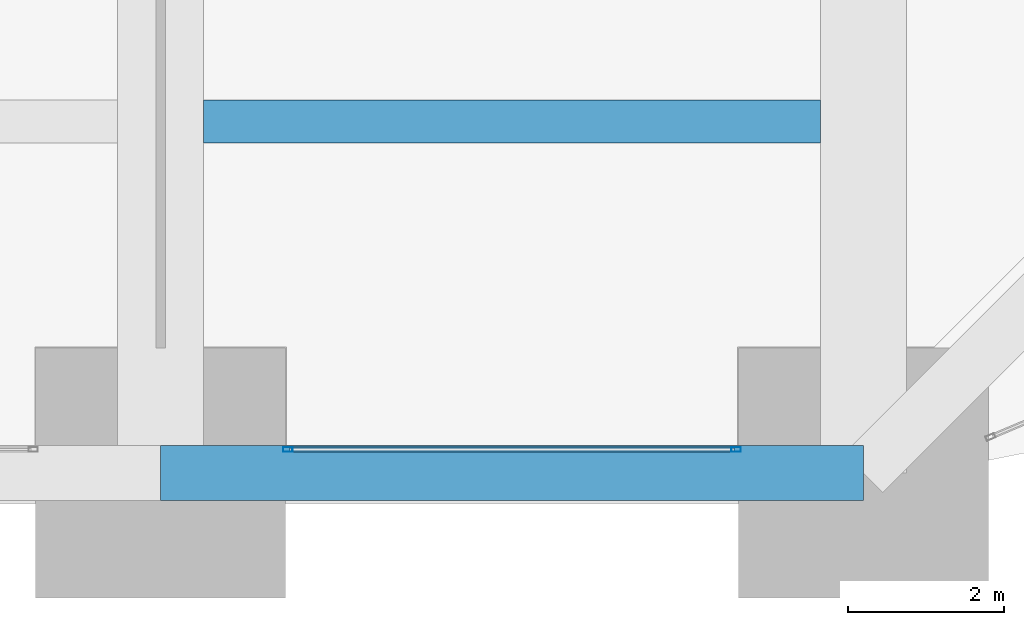
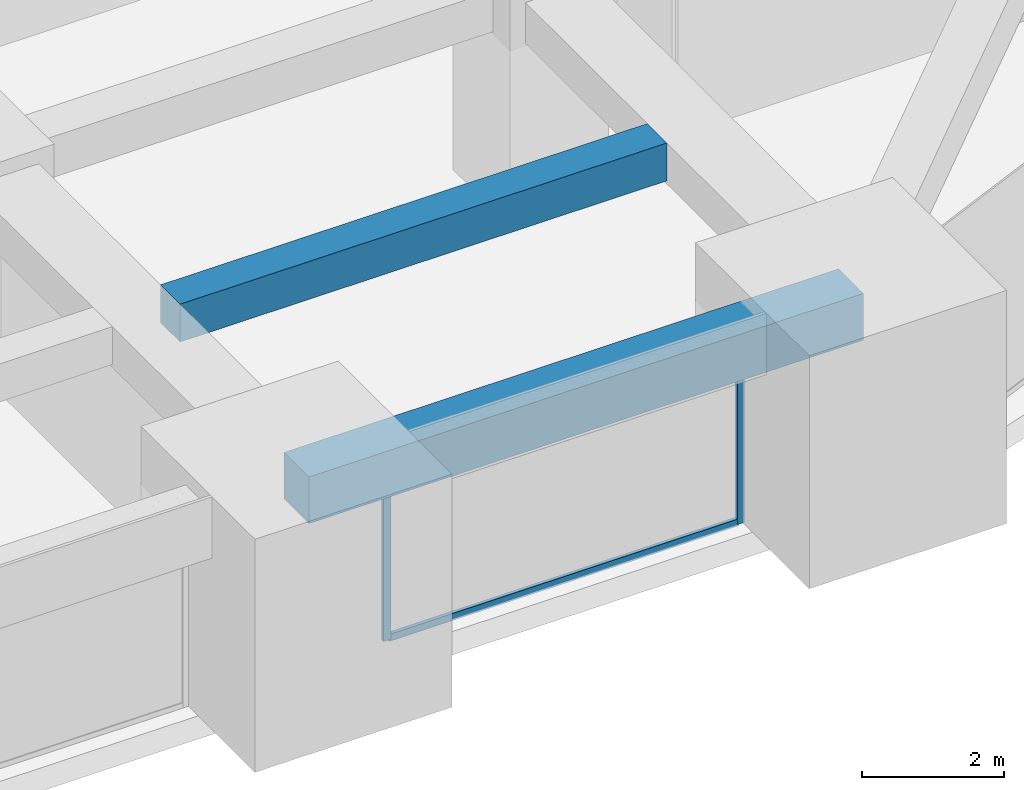
# One storey, part 15 of 40: 3 members, 2 beams, 1 element without a shape of its own.
"""IFC4 building model written with IfcOpenShell, lengths in metres."""

from ifc_helpers import new_model, si_unit, direction, frame, origin, origin_2d, place, context, subcontext, project, spatial, rectangle, hollow_rectangle, extrude, material, material_profile, profile_set, type_object, element, aggregate, save


model = new_model("IFC4")

# Units and contexts
model_context = context("Model", 3, precision=1e-05, world=origin(), true_north=direction((0.0, 1.0)))
body_context = subcontext(model_context, "Body", "Model", "MODEL_VIEW")
ifc_project = project(units=[si_unit("LENGTHUNIT", "METRE"), si_unit("AREAUNIT", "SQUARE_METRE"), si_unit("VOLUMEUNIT", "CUBIC_METRE"), si_unit("PLANEANGLEUNIT", "RADIAN"), si_unit("MASSUNIT", "GRAM", prefix="KILO")], contexts=[model_context])

# Site, building, storey
site_placement = place(None, origin())
site = spatial("IfcSite", under=ifc_project, at=site_placement, CompositionType="ELEMENT")
building_placement = place(site_placement, origin())
building = spatial("IfcBuilding", under=site, at=building_placement, Name="Zorevar Civic Tower", CompositionType="ELEMENT")
storey_placement = place(building_placement, frame((0.0, 0.0, 239.39990234375)))
storey = spatial("IfcBuildingStorey", under=building, at=storey_placement, Name="L58", CompositionType="ELEMENT", Elevation=239.39990234375)

# Beam
ifc_material_1 = material(Name="Concrete C50/60", Category="concrete")
ifc_material_profile_1 = material_profile(ifc_material_1, rectangle(XDim=0.550048828125, YDim=0.64990234375, at=origin_2d()), Name="RC 550x650")
ifc_profile_set_1 = profile_set([ifc_material_profile_1], Name="Concrete C50/60")
beam_type_1 = type_object("IfcBeamType", Name="Beam RC 550x650", PredefinedType="BEAM", material=ifc_profile_set_1)
beam_1_placement = place(storey_placement, frame((36.550048828125, 4.5, 3.425048828125), z_axis=(1.0, 0.0, 0.0), x_axis=(0.0, 1.0, 0.0)))
element("IfcBeam", 1, at=beam_1_placement, inside=storey, type_object=beam_type_1, Name="Secondary beam L59", PredefinedType="BEAM", context=body_context, shape_type="SweptSolid", body=[
    extrude(rectangle(XDim=0.550048828125, YDim=0.64990234375, at=origin_2d()), origin(), (0.0, 0.0, 1.0), 7.89990234375),
])

# Curtain wall, members
ifc_material_2 = material(Name="Dark grey solar-control glass in black aluminium frame", Category="aluminium")
curtain_wall_type = type_object("IfcCurtainWallType", Name="Curtain wall CW5 top zone", PredefinedType="NOTDEFINED", material=ifc_material_2)
curtain_wall_placement = place(storey_placement, origin())
curtain_wall = element("IfcCurtainWall", 2, at=curtain_wall_placement, inside=storey, type_object=curtain_wall_type, Name="CW5 L58", PredefinedType="NOTDEFINED")
ifc_material_3 = material(Name="Aluminium, black anodised", Category="aluminium")
ifc_material_profile_2 = material_profile(ifc_material_3, hollow_rectangle(XDim=0.06005859375, YDim=0.1201171875, WallThickness=0.0029296875, at=origin_2d()), Name="AL 120x60x3")
ifc_profile_set_2 = profile_set([ifc_material_profile_2], Name="Aluminium, black anodised")
member_type_1 = type_object("IfcMemberType", Name="CW5 mullion AL 120x60x3", PredefinedType="MULLION", material=ifc_profile_set_2)
member_1_placement = place(storey_placement, frame((37.6298828125, 0.300048828125, 0.0), z_axis=(0.0, 0.0, 1.0), x_axis=(0.0, 1.0, 0.0)))
member_1 = element("IfcMember", 3, at=member_1_placement, type_object=member_type_1, Name="CW5 mullion 1", PredefinedType="MULLION", context=body_context, shape_type="SweptSolid", body=[
    extrude(hollow_rectangle(XDim=0.06005859375, YDim=0.1201171875, WallThickness=0.0029296875, at=origin_2d()), origin(), (0.0, 0.0, 1.0), 2.9501953125),
])
member_2_placement = place(storey_placement, frame((43.3701171875, 0.300048828125, 0.0), z_axis=(0.0, 0.0, 1.0), x_axis=(0.0, 1.0, 0.0)))
member_2 = element("IfcMember", 4, at=member_2_placement, type_object=member_type_1, Name="CW5 mullion 2", PredefinedType="MULLION", context=body_context, shape_type="SweptSolid", body=[
    extrude(hollow_rectangle(XDim=0.06005859375, YDim=0.1201171875, WallThickness=0.0029296875, at=origin_2d()), origin(), (0.0, 0.0, 1.0), 2.9501953125),
])
ifc_material_4 = material(Name="Aluminium, black anodised", Category="aluminium")
ifc_material_profile_3 = material_profile(ifc_material_4, hollow_rectangle(XDim=0.06005859375, YDim=0.1201171875, WallThickness=0.0029296875, at=origin_2d()), Name="AL 120x60x3")
ifc_profile_set_3 = profile_set([ifc_material_profile_3], Name="Aluminium, black anodised")
member_type_2 = type_object("IfcMemberType", Name="CW5 transom AL 120x60x3", PredefinedType="USERDEFINED", material=ifc_profile_set_3)
member_3_placement = place(storey_placement, frame((37.659912109375, 0.300048828125, 0.030029296875), z_axis=(1.0, 0.0, 0.0), x_axis=(0.0, 1.0, 0.0)))
member_3 = element("IfcMember", 5, at=member_3_placement, type_object=member_type_2, Name="CW5 sill transom", ObjectType="TRANSOM", PredefinedType="USERDEFINED", context=body_context, shape_type="SweptSolid", body=[
    extrude(hollow_rectangle(XDim=0.06005859375, YDim=0.1201171875, WallThickness=0.0029296875, at=origin_2d()), origin(), (0.0, 0.0, 1.0), 5.68017578125),
])
aggregate(curtain_wall, [member_1, member_2, member_3])

# Beam
ifc_material_5 = material(Name="Concrete C50/60", Category="concrete")
ifc_material_profile_4 = material_profile(ifc_material_5, rectangle(XDim=0.699951171875, YDim=0.800048828125, at=origin_2d()), Name="RC 700x800")
ifc_profile_set_4 = profile_set([ifc_material_profile_4], Name="Concrete C50/60")
beam_type_2 = type_object("IfcBeamType", Name="Edge beam RC 700x800", PredefinedType="SPANDREL", material=ifc_profile_set_4)
beam_2_placement = place(storey_placement, frame((36.0, 0.0, 3.35009765625), z_axis=(1.0, 0.0, 0.0), x_axis=(0.0, 1.0, 0.0)))
element("IfcBeam", 6, at=beam_2_placement, inside=storey, type_object=beam_type_2, Name="Edge beam L59", PredefinedType="SPANDREL", context=body_context, shape_type="SweptSolid", body=[
    extrude(rectangle(XDim=0.699951171875, YDim=0.800048828125, at=origin_2d()), origin(), (0.0, 0.0, 1.0), 9.0),
])

save(model, "model.ifc")
